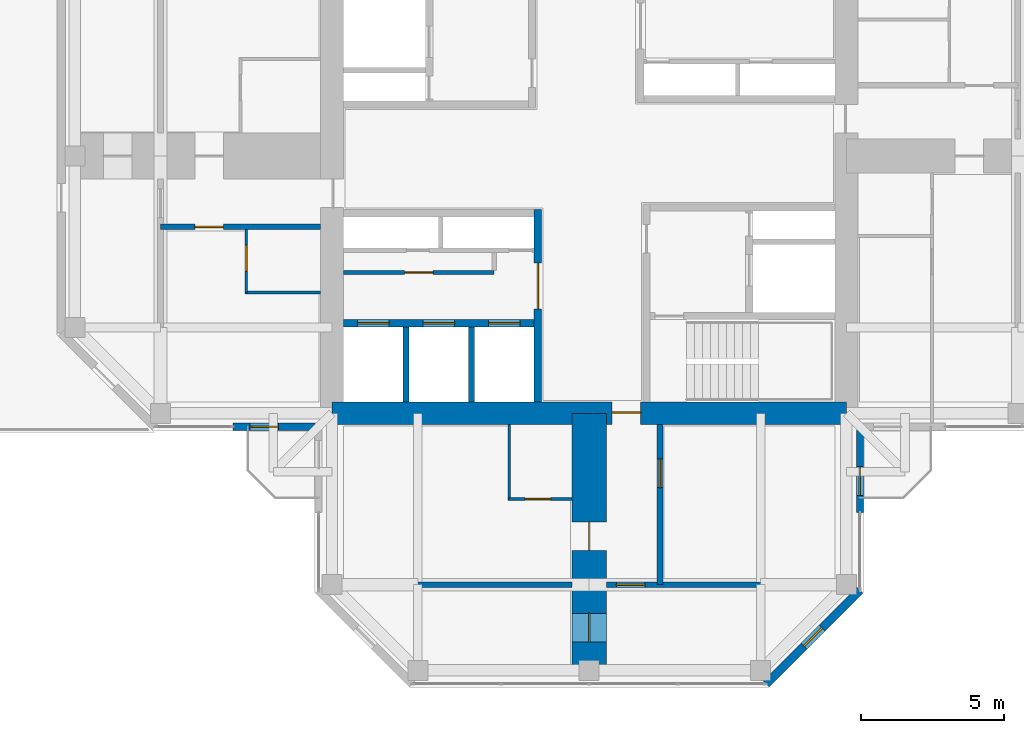
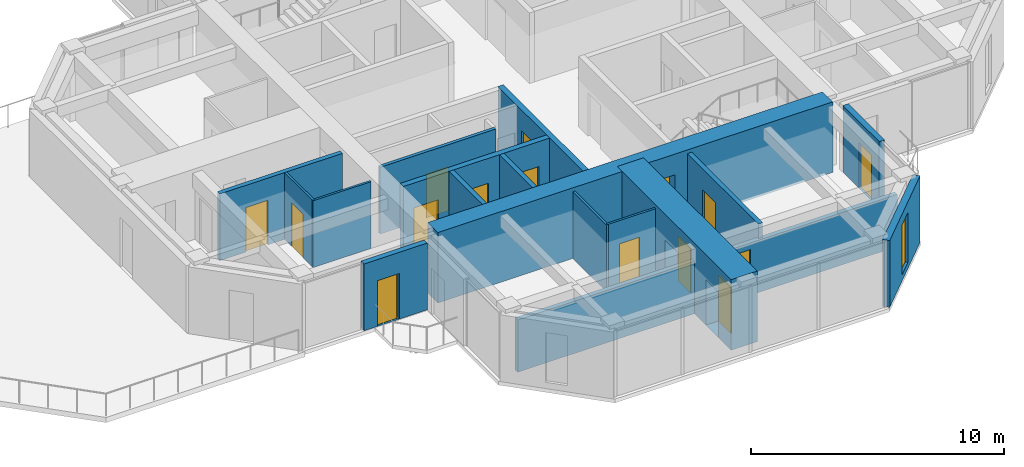
# One storey, part 8 of 14: 18 walls, 15 doors, 1 window, 16 openings.
"""IFC4 building model written with IfcOpenShell, lengths in metres."""

from ifc_helpers import new_model, si_unit, direction, frame, frame_2d, origin, place, context, subcontext, project, spatial, rectangle, hollow_rectangle, extrude, material, layer, layer_set, constituent, constituent_set, type_object, element, fill, save


model = new_model("IFC4")

# Units and contexts
model_context = context("Model", 3, precision=1e-05, world=origin(), true_north=direction((0.0, 1.0)))
body_context = subcontext(model_context, "Body", "Model", "MODEL_VIEW")
ifc_project = project(units=[si_unit("LENGTHUNIT", "METRE"), si_unit("AREAUNIT", "SQUARE_METRE"), si_unit("VOLUMEUNIT", "CUBIC_METRE"), si_unit("PLANEANGLEUNIT", "RADIAN"), si_unit("MASSUNIT", "GRAM", prefix="KILO")], contexts=[model_context])

# Site, building, storey
site_placement = place(None, origin())
site = spatial("IfcSite", under=ifc_project, at=site_placement, CompositionType="ELEMENT")
building_placement = place(site_placement, origin())
building = spatial("IfcBuilding", under=site, at=building_placement, Name="Torre Cruceta", CompositionType="ELEMENT")
storey_placement = place(building_placement, frame((0.0, 0.0, 257.699951171875)))
storey = spatial("IfcBuildingStorey", under=building, at=storey_placement, Name="L66", CompositionType="ELEMENT", Elevation=257.699951171875)

# Wall
ifc_material_1 = material(Name="Water-resistant plasterboard on steel studs", Category="steel")
ifc_layer_1 = layer(ifc_material_1, 0.10009765625)
ifc_layer_set_1 = layer_set([ifc_layer_1], Name="Water-resistant plasterboard on steel studs")
wall_type_1 = type_object("IfcWallType", Name="BATHROOM WALL 100", PredefinedType="PARTITIONING", material=ifc_layer_set_1)
wall_1_placement = place(storey_placement, frame((-2.800048828125, -9.39990234375, 0.0), z_axis=(0.0, 0.0, 1.0), x_axis=(0.0, -1.0, 0.0)))
element("IfcWall", 1, at=wall_1_placement, inside=storey, type_object=wall_type_1, Name="PT4 L66-S-U1RBB", PredefinedType="PARTITIONING", context=body_context, shape_type="SweptSolid", body=[
    extrude(rectangle(XDim=2.650146484375, YDim=0.10009765625, at=frame_2d((1.3251953125, 0.0))), origin(), (0.0, 0.0, 1.0), 3.219970703125),
])

# Wall, opening, door
wall_2_placement = place(storey_placement, frame((-2.800048828125, -12.0, 0.0), z_axis=(0.0, 0.0, 1.0), x_axis=(1.0, 0.0, 0.0)))
wall_2 = element("IfcWall", 2, at=wall_2_placement, inside=storey, type_object=wall_type_1, Name="PT4 L66-S-U1RBS", PredefinedType="PARTITIONING", context=body_context, shape_type="SweptSolid", body=[
    extrude(rectangle(XDim=2.199951171875, YDim=0.10009765625, at=frame_2d((1.10009765625, 0.0))), origin(), (0.0, 0.0, 1.0), 3.219970703125),
])
opening_1_placement = place(wall_2_placement, frame((0.550048828125, 0.0, 0.0)))
opening_1 = element("IfcOpeningElement", 3, at=opening_1_placement, cuts=wall_2, Name="Opening D7", PredefinedType="OPENING", context=body_context, shape_type="SweptSolid", body=[
    extrude(rectangle(XDim=0.89990234375, YDim=2.10009765625, at=frame_2d((0.449951171875, 1.050048828125))), frame((0.0, 0.06005859375, 0.0), z_axis=(0.0, -1.0, 0.0), x_axis=(1.0, 0.0, 0.0)), (0.0, 0.0, 1.0), 0.1201171875),
])
ifc_material_2 = material(Name="Timber door", Category="wood")
door_type_1 = type_object("IfcDoorType", Name="BATHROOM DOOR 900X2100", OperationType="SINGLE_SWING_LEFT", PredefinedType="DOOR", material=ifc_material_2)
door_1_placement = place(opening_1_placement, origin())
door_1 = element("IfcDoor", 4, at=door_1_placement, inside=storey, type_object=door_type_1, Name="D7 L66-S-U1RBS-D1", OperationType="SINGLE_SWING_LEFT", OverallHeight=2.10009765625, OverallWidth=0.89990234375, PredefinedType="DOOR", context=body_context, shape_type="SweptSolid", body=[
    extrude(rectangle(XDim=0.89990234375, YDim=2.10009765625, at=frame_2d((0.449951171875, 1.050048828125))), frame((0.0, 0.02490234375, 0.0), z_axis=(0.0, -1.0, 0.0), x_axis=(1.0, 0.0, 0.0)), (0.0, 0.0, 1.0), 0.050048828125),
])
fill(opening_1, door_1)

# Wall
wall_3_placement = place(storey_placement, frame((-9.39990234375, -4.77490234375, 0.0), z_axis=(0.0, 0.0, 1.0), x_axis=(-1.0, 0.0, 0.0)))
element("IfcWall", 5, at=wall_3_placement, inside=storey, type_object=wall_type_1, Name="PT4 L66-W-U1LBB", PredefinedType="PARTITIONING", context=body_context, shape_type="SweptSolid", body=[
    extrude(rectangle(XDim=2.650146484375, YDim=0.10009765625, at=frame_2d((1.3251953125, 0.0))), origin(), (0.0, 0.0, 1.0), 3.219970703125),
])

# Wall, opening, door
wall_4_placement = place(storey_placement, frame((-12.0, -2.574951171875, 0.0), z_axis=(0.0, 0.0, 1.0), x_axis=(0.0, -1.0, 0.0)))
wall_4 = element("IfcWall", 6, at=wall_4_placement, inside=storey, type_object=wall_type_1, Name="PT4 L66-W-U1LBS", PredefinedType="PARTITIONING", context=body_context, shape_type="SweptSolid", body=[
    extrude(rectangle(XDim=2.199951171875, YDim=0.10009765625, at=frame_2d((1.10009765625, 0.0))), origin(), (0.0, 0.0, 1.0), 3.219970703125),
])
opening_2_placement = place(wall_4_placement, frame((0.550048828125, 0.0, 0.0)))
opening_2 = element("IfcOpeningElement", 7, at=opening_2_placement, cuts=wall_4, Name="Opening D7", PredefinedType="OPENING", context=body_context, shape_type="SweptSolid", body=[
    extrude(rectangle(XDim=0.89990234375, YDim=2.10009765625, at=frame_2d((0.449951171875, 1.050048828125))), frame((0.0, 0.06005859375, 0.0), z_axis=(0.0, -1.0, 0.0), x_axis=(1.0, 0.0, 0.0)), (0.0, 0.0, 1.0), 0.1201171875),
])
door_2_placement = place(opening_2_placement, origin())
door_2 = element("IfcDoor", 8, at=door_2_placement, inside=storey, type_object=door_type_1, Name="D7 L66-W-U1LBS-D1", OperationType="SINGLE_SWING_LEFT", OverallHeight=2.10009765625, OverallWidth=0.89990234375, PredefinedType="DOOR", context=body_context, shape_type="SweptSolid", body=[
    extrude(rectangle(XDim=0.89990234375, YDim=2.10009765625, at=frame_2d((0.449951171875, 1.050048828125))), frame((0.0, 0.02490234375, 0.0), z_axis=(0.0, -1.0, 0.0), x_axis=(1.0, 0.0, 0.0)), (0.0, 0.0, 1.0), 0.050048828125),
])
fill(opening_2, door_2)

ifc_material_3 = material(Name="Concrete G60 (fck 60 MPa)", Category="concrete")
ifc_layer_2 = layer(ifc_material_3, 0.25)
ifc_layer_set_2 = layer_set([ifc_layer_2], Name="Concrete G60 (fck 60 MPa)")
wall_type_2 = type_object("IfcWallType", Name="CORE INNER WALL 250 G60", PredefinedType="SHEAR", material=ifc_layer_set_2)
wall_5_placement = place(storey_placement, frame((-1.800048828125, -1.875, 0.0), z_axis=(0.0, 0.0, 1.0), x_axis=(0.0, -1.0, 0.0)))
wall_5 = element("IfcWall", 9, at=wall_5_placement, inside=storey, type_object=wall_type_2, Name="CW4 L66 SW-CU", PredefinedType="SHEAR", context=body_context, shape_type="SweptSolid", body=[
    extrude(rectangle(XDim=6.72509765625, YDim=0.25, at=frame_2d((3.362548828125, 0.0))), origin(), (0.0, 0.0, 1.0), 3.400146484375),
])
opening_3_placement = place(wall_5_placement, frame((1.875, 0.0, 0.0)))
opening_3 = element("IfcOpeningElement", 10, at=opening_3_placement, cuts=wall_5, Name="Opening D8", PredefinedType="OPENING", context=body_context, shape_type="SweptSolid", body=[
    extrude(rectangle(XDim=1.60009765625, YDim=2.39990234375, at=frame_2d((0.800048828125, 1.199951171875))), frame((0.0, 0.135009765625, 0.0), z_axis=(0.0, -1.0, 0.0), x_axis=(1.0, 0.0, 0.0)), (0.0, 0.0, 1.0), 0.27001953125),
])
ifc_material_4 = material(Name="Steel DX51D", Category="steel")
ifc_constituent_1 = constituent(ifc_material_4, Name="Leaf and frame")
ifc_material_5 = material(Name="Polyester powder coating", Category="paint")
ifc_constituent_2 = constituent(ifc_material_5, Name="Finish")
ifc_material_6 = material(Name="Fire-resisting glass", Category="glass")
ifc_constituent_3 = constituent(ifc_material_6, Name="Vision panel")
ifc_constituent_set_1 = constituent_set(constituents=[ifc_constituent_1, ifc_constituent_2, ifc_constituent_3], Name="Steel fire door with vision panels")
door_type_2 = type_object("IfcDoorType", Name="LIFT LOBBY DOUBLE DOOR 1600X2400", OperationType="DOUBLE_DOOR_DOUBLE_SWING", PredefinedType="DOOR", material=ifc_constituent_set_1)
door_3_placement = place(opening_3_placement, origin())
door_3 = element("IfcDoor", 11, at=door_3_placement, inside=storey, type_object=door_type_2, Name="D8 L66 SW-LOBBY", OperationType="DOUBLE_DOOR_DOUBLE_SWING", OverallHeight=2.39990234375, OverallWidth=1.60009765625, PredefinedType="DOOR", context=body_context, shape_type="SweptSolid", body=[
    extrude(rectangle(XDim=1.60009765625, YDim=2.39990234375, at=frame_2d((0.800048828125, 1.199951171875))), frame((0.0, 0.02490234375, 0.0), z_axis=(0.0, -1.0, 0.0), x_axis=(1.0, 0.0, 0.0)), (0.0, 0.0, 1.0), 0.050048828125),
])
fill(opening_3, door_3)

# Wall, openings, doors
wall_6_placement = place(storey_placement, frame((-1.925048828125, -5.85009765625, 0.0), z_axis=(0.0, 0.0, 1.0), x_axis=(-1.0, 0.0, 0.0)))
wall_6 = element("IfcWall", 12, at=wall_6_placement, inside=storey, type_object=wall_type_2, Name="CW4 L66 SW-LV", PredefinedType="SHEAR", context=body_context, shape_type="SweptSolid", body=[
    extrude(rectangle(XDim=6.675048828125, YDim=0.25, at=frame_2d((3.33740234375, 0.0))), origin(), (0.0, 0.0, 1.0), 3.400146484375),
])
opening_4_placement = place(wall_6_placement, frame((0.495849609375, 0.0, 0.0)))
opening_4 = element("IfcOpeningElement", 13, at=opening_4_placement, cuts=wall_6, Name="Opening LD1", PredefinedType="OPENING", context=body_context, shape_type="SweptSolid", body=[
    extrude(rectangle(XDim=1.10009765625, YDim=2.199951171875, at=frame_2d((0.550048828125, 1.10009765625))), frame((0.0, 0.135009765625, 0.0), z_axis=(0.0, -1.0, 0.0), x_axis=(1.0, 0.0, 0.0)), (0.0, 0.0, 1.0), 0.27001953125),
])
opening_5_placement = place(wall_6_placement, frame((2.78759765625, 0.0, 0.0)))
opening_5 = element("IfcOpeningElement", 14, at=opening_5_placement, cuts=wall_6, Name="Opening LD1", PredefinedType="OPENING", context=body_context, shape_type="SweptSolid", body=[
    extrude(rectangle(XDim=1.10009765625, YDim=2.199951171875, at=frame_2d((0.550048828125, 1.10009765625))), frame((0.0, 0.135009765625, 0.0), z_axis=(0.0, -1.0, 0.0), x_axis=(1.0, 0.0, 0.0)), (0.0, 0.0, 1.0), 0.27001953125),
])
opening_6_placement = place(wall_6_placement, frame((5.0791015625, 0.0, 0.0)))
opening_6 = element("IfcOpeningElement", 15, at=opening_6_placement, cuts=wall_6, Name="Opening LD1", PredefinedType="OPENING", context=body_context, shape_type="SweptSolid", body=[
    extrude(rectangle(XDim=1.10009765625, YDim=2.199951171875, at=frame_2d((0.550048828125, 1.10009765625))), frame((0.0, 0.135009765625, 0.0), z_axis=(0.0, -1.0, 0.0), x_axis=(1.0, 0.0, 0.0)), (0.0, 0.0, 1.0), 0.27001953125),
])
ifc_material_7 = material(Name="Stainless steel 1.4401", Category="steel")
door_type_3 = type_object("IfcDoorType", Name="LIFT LANDING DOOR 1100X2200", OperationType="DOUBLE_DOOR_SLIDING", PredefinedType="DOOR", material=ifc_material_7)
door_4_placement = place(opening_4_placement, origin())
door_4 = element("IfcDoor", 16, at=door_4_placement, inside=storey, type_object=door_type_3, Name="Lift landing door R1", OperationType="DOUBLE_DOOR_SLIDING", OverallHeight=2.199951171875, OverallWidth=1.10009765625, PredefinedType="DOOR", context=body_context, shape_type="SweptSolid", body=[
    extrude(rectangle(XDim=1.10009765625, YDim=2.199951171875, at=frame_2d((0.550048828125, 1.10009765625))), frame((0.0, 0.02490234375, 0.0), z_axis=(0.0, -1.0, 0.0), x_axis=(1.0, 0.0, 0.0)), (0.0, 0.0, 1.0), 0.050048828125),
])
fill(opening_4, door_4)
door_5_placement = place(opening_5_placement, origin())
door_5 = element("IfcDoor", 17, at=door_5_placement, inside=storey, type_object=door_type_3, Name="Lift landing door R2", OperationType="DOUBLE_DOOR_SLIDING", OverallHeight=2.199951171875, OverallWidth=1.10009765625, PredefinedType="DOOR", context=body_context, shape_type="SweptSolid", body=[
    extrude(rectangle(XDim=1.10009765625, YDim=2.199951171875, at=frame_2d((0.550048828125, 1.10009765625))), frame((0.0, 0.02490234375, 0.0), z_axis=(0.0, -1.0, 0.0), x_axis=(1.0, 0.0, 0.0)), (0.0, 0.0, 1.0), 0.050048828125),
])
fill(opening_5, door_5)
door_6_placement = place(opening_6_placement, origin())
door_6 = element("IfcDoor", 18, at=door_6_placement, inside=storey, type_object=door_type_3, Name="Lift landing door R3", OperationType="DOUBLE_DOOR_SLIDING", OverallHeight=2.199951171875, OverallWidth=1.10009765625, PredefinedType="DOOR", context=body_context, shape_type="SweptSolid", body=[
    extrude(rectangle(XDim=1.10009765625, YDim=2.199951171875, at=frame_2d((0.550048828125, 1.10009765625))), frame((0.0, 0.02490234375, 0.0), z_axis=(0.0, -1.0, 0.0), x_axis=(1.0, 0.0, 0.0)), (0.0, 0.0, 1.0), 0.050048828125),
])
fill(opening_6, door_6)

# Wall, opening, door
ifc_material_8 = material(Name="Concrete G60 (fck 60 MPa)", Category="concrete")
ifc_layer_3 = layer(ifc_material_8, 0.800048828125)
ifc_layer_set_3 = layer_set([ifc_layer_3], Name="Concrete G60 (fck 60 MPa)")
wall_type_3 = type_object("IfcWallType", Name="CORE WALL 800 G60", PredefinedType="SHEAR", material=ifc_layer_set_3)
wall_7_placement = place(storey_placement, frame((-9.0, -9.0, 0.0), z_axis=(0.0, 0.0, 1.0), x_axis=(1.0, 0.0, 0.0)))
wall_7 = element("IfcWall", 19, at=wall_7_placement, inside=storey, type_object=wall_type_3, Name="CW3 L66 CW-S", PredefinedType="SHEAR", context=body_context, shape_type="SweptSolid", body=[
    extrude(rectangle(XDim=18.0, YDim=0.800048828125, at=frame_2d((9.0, 0.0))), origin(), (0.0, 0.0, 1.0), 3.400146484375),
])
opening_7_placement = place(wall_7_placement, frame((9.800048828125, 0.0, 0.0)))
opening_7 = element("IfcOpeningElement", 20, at=opening_7_placement, cuts=wall_7, Name="Opening D4", PredefinedType="OPENING", context=body_context, shape_type="SweptSolid", body=[
    extrude(rectangle(XDim=1.0, YDim=2.39990234375, at=frame_2d((0.5, 1.199951171875))), frame((0.0, 0.409912109375, 0.0), z_axis=(0.0, -1.0, 0.0), x_axis=(1.0, 0.0, 0.0)), (0.0, 0.0, 1.0), 0.820068359375),
])
ifc_material_9 = material(Name="Steel DX51D", Category="steel")
ifc_constituent_4 = constituent(ifc_material_9, Name="Leaf and frame")
ifc_material_10 = material(Name="Polyester powder coating", Category="paint")
ifc_constituent_5 = constituent(ifc_material_10, Name="Finish")
ifc_constituent_set_2 = constituent_set(constituents=[ifc_constituent_4, ifc_constituent_5], Name="Steel fire door")
door_type_4 = type_object("IfcDoorType", Name="CORE ARM DOOR 1000X2400", OperationType="SINGLE_SWING_RIGHT", PredefinedType="DOOR", material=ifc_constituent_set_2)
door_7_placement = place(opening_7_placement, origin())
door_7 = element("IfcDoor", 21, at=door_7_placement, inside=storey, type_object=door_type_4, Name="D4 L66 CW-S", OperationType="SINGLE_SWING_RIGHT", OverallHeight=2.39990234375, OverallWidth=1.0, PredefinedType="DOOR", context=body_context, shape_type="SweptSolid", body=[
    extrude(rectangle(XDim=1.0, YDim=2.39990234375, at=frame_2d((0.5, 1.199951171875))), frame((0.0, 0.05517578125, 0.0), z_axis=(0.0, -1.0, 0.0), x_axis=(1.0, 0.0, 0.0)), (0.0, 0.0, 1.0), 0.050048828125),
])
fill(opening_7, door_7)

ifc_material_11 = material(Name="Concrete G25 (fck 25 MPa)", Category="concrete")
ifc_layer_4 = layer(ifc_material_11, 0.199951171875)
ifc_layer_set_4 = layer_set([ifc_layer_4], Name="Concrete G25 (fck 25 MPa)")
wall_type_4 = type_object("IfcWallType", Name="CORRIDOR WALL 200", PredefinedType="SOLIDWALL", material=ifc_layer_set_4)
wall_8_placement = place(storey_placement, frame((2.47509765625, -9.39990234375, 0.0), z_axis=(0.0, 0.0, 1.0), x_axis=(0.0, -1.0, 0.0)))
wall_8 = element("IfcWall", 22, at=wall_8_placement, inside=storey, type_object=wall_type_4, Name="PT3 L66-S-CL", PredefinedType="SOLIDWALL", context=body_context, shape_type="SweptSolid", body=[
    extrude(rectangle(XDim=5.60009765625, YDim=0.199951171875, at=frame_2d((2.800048828125, 0.0))), origin(), (0.0, 0.0, 1.0), 3.219970703125),
])
opening_8_placement = place(wall_8_placement, frame((1.199951171875, 0.0, 0.0)))
opening_8 = element("IfcOpeningElement", 23, at=opening_8_placement, cuts=wall_8, Name="Opening D14", PredefinedType="OPENING", context=body_context, shape_type="SweptSolid", body=[
    extrude(rectangle(XDim=1.0, YDim=2.199951171875, at=frame_2d((0.5, 1.10009765625))), frame((0.0, 0.10986328125, 0.0), z_axis=(0.0, -1.0, 0.0), x_axis=(1.0, 0.0, 0.0)), (0.0, 0.0, 1.0), 0.219970703125),
])
ifc_material_12 = material(Name="Steel DX51D", Category="steel")
ifc_constituent_6 = constituent(ifc_material_12, Name="Leaf and frame")
ifc_material_13 = material(Name="Polyester powder coating", Category="paint")
ifc_constituent_7 = constituent(ifc_material_13, Name="Finish")
ifc_material_14 = material(Name="Fire-resisting glass", Category="glass")
ifc_constituent_8 = constituent(ifc_material_14, Name="Vision panel")
ifc_constituent_set_3 = constituent_set(constituents=[ifc_constituent_6, ifc_constituent_7, ifc_constituent_8], Name="Steel fire door with vision panel")
door_type_5 = type_object("IfcDoorType", Name="FIRE DOOR VISION PANEL 1000X2200", OperationType="SINGLE_SWING_RIGHT", PredefinedType="DOOR", material=ifc_constituent_set_3)
door_8_placement = place(opening_8_placement, origin())
door_8 = element("IfcDoor", 24, at=door_8_placement, inside=storey, type_object=door_type_5, Name="D14 L66-S-CL-D1", OperationType="SINGLE_SWING_LEFT", OverallHeight=2.199951171875, OverallWidth=1.0, PredefinedType="DOOR", context=body_context, shape_type="SweptSolid", body=[
    extrude(rectangle(XDim=1.0, YDim=2.199951171875, at=frame_2d((0.5, 1.10009765625))), frame((0.0, 0.02490234375, 0.0), z_axis=(0.0, -1.0, 0.0), x_axis=(1.0, 0.0, 0.0)), (0.0, 0.0, 1.0), 0.050048828125),
])
fill(opening_8, door_8)

wall_9_placement = place(storey_placement, frame((-9.39990234375, -2.47509765625, 0.0), z_axis=(0.0, 0.0, 1.0), x_axis=(-1.0, 0.0, 0.0)))
wall_9 = element("IfcWall", 25, at=wall_9_placement, inside=storey, type_object=wall_type_4, Name="PT3 L66-W-CL", PredefinedType="SOLIDWALL", context=body_context, shape_type="SweptSolid", body=[
    extrude(rectangle(XDim=5.60009765625, YDim=0.199951171875, at=frame_2d((2.800048828125, 0.0))), origin(), (0.0, 0.0, 1.0), 3.219970703125),
])
opening_9_placement = place(wall_9_placement, frame((3.39990234375, 0.0, 0.0)))
opening_9 = element("IfcOpeningElement", 26, at=opening_9_placement, cuts=wall_9, Name="Opening D6", PredefinedType="OPENING", context=body_context, shape_type="SweptSolid", body=[
    extrude(rectangle(XDim=1.0, YDim=2.14990234375, at=frame_2d((0.5, 1.074951171875))), frame((0.0, 0.10986328125, 0.0), z_axis=(0.0, -1.0, 0.0), x_axis=(1.0, 0.0, 0.0)), (0.0, 0.0, 1.0), 0.219970703125),
])
ifc_material_15 = material(Name="Timber fire door", Category="wood")
door_type_6 = type_object("IfcDoorType", Name="UNIT ENTRANCE DOOR 1000X2150", OperationType="SINGLE_SWING_LEFT", PredefinedType="DOOR", material=ifc_material_15)
door_9_placement = place(opening_9_placement, origin())
door_9 = element("IfcDoor", 27, at=door_9_placement, inside=storey, type_object=door_type_6, Name="D6 L66-W-CL-D1", OperationType="SINGLE_SWING_LEFT", OverallHeight=2.14990234375, OverallWidth=1.0, PredefinedType="DOOR", context=body_context, shape_type="SweptSolid", body=[
    extrude(rectangle(XDim=1.0, YDim=2.14990234375, at=frame_2d((0.5, 1.074951171875))), frame((0.0, 0.02490234375, 0.0), z_axis=(0.0, -1.0, 0.0), x_axis=(1.0, 0.0, 0.0)), (0.0, 0.0, 1.0), 0.050048828125),
])
fill(opening_9, door_9)

# Wall, opening, window
ifc_material_16 = material(Name="Concrete G30 (fck 30 MPa)", Category="concrete")
ifc_layer_5 = layer(ifc_material_16, 0.300048828125)
ifc_layer_set_5 = layer_set([ifc_layer_5], Name="Concrete G30 (fck 30 MPa)")
wall_type_5 = type_object("IfcWallType", Name="EXPOSED CONCRETE FACADE WALL 300", PredefinedType="SOLIDWALL", material=ifc_layer_set_5)
wall_10_placement = place(storey_placement, frame((6.194580078125, -18.469970703125, 0.0), z_axis=(0.0, 0.0, 1.0), x_axis=(0.707106781187, 0.707106781187, 0.0)))
wall_10 = element("IfcWall", 28, at=wall_10_placement, inside=storey, type_object=wall_type_5, Name="EW1 facade wall L66 S chamfer 18", PredefinedType="SOLIDWALL", context=body_context, shape_type="SweptSolid", body=[
    extrude(rectangle(XDim=4.632080078125, YDim=0.300048828125, at=frame_2d((2.31591796875, 0.0))), origin(), (0.0, 0.0, 1.0), 3.219970703125),
])
opening_10_placement = place(wall_10_placement, frame((1.865966796875, 0.0, 0.300048828125)))
opening_10 = element("IfcOpeningElement", 29, at=opening_10_placement, cuts=wall_10, Name="Opening WN5", PredefinedType="OPENING", context=body_context, shape_type="SweptSolid", body=[
    extrude(rectangle(XDim=0.89990234375, YDim=2.39990234375, at=frame_2d((0.449951171875, 1.199951171875))), frame((0.0, 0.159912109375, 0.0), z_axis=(0.0, -1.0, 0.0), x_axis=(1.0, 0.0, 0.0)), (0.0, 0.0, 1.0), 0.320068359375),
])
ifc_material_17 = material(Name="Aluminium window frame", Category="aluminium")
ifc_constituent_9 = constituent(ifc_material_17, Name="Frame")
ifc_material_18 = material(Name="Laminated insulating glass unit, low-iron clear", Category="glass")
ifc_constituent_10 = constituent(ifc_material_18, Name="Glazing")
ifc_constituent_set_4 = constituent_set(constituents=[ifc_constituent_9, ifc_constituent_10], Name="Aluminium window")
window_type = type_object("IfcWindowType", Name="CHAMFER SLOT WINDOW 900X2400", PartitioningType="SINGLE_PANEL", PredefinedType="WINDOW", material=ifc_constituent_set_4)
window_placement = place(opening_10_placement, origin())
window = element("IfcWindow", 30, at=window_placement, inside=storey, type_object=window_type, Name="WN5 L66 S 1", OverallHeight=2.39990234375, OverallWidth=0.89990234375, PartitioningType="SINGLE_PANEL", PredefinedType="WINDOW", context=body_context, shape_type="SweptSolid", body=[
    extrude(hollow_rectangle(XDim=0.89990234375, YDim=2.39990234375, WallThickness=0.06005859375, at=frame_2d((0.449951171875, 1.199951171875))), frame((0.0, 0.030029296875, 0.0), z_axis=(0.0, -1.0, 0.0), x_axis=(1.0, 0.0, 0.0)), (0.0, 0.0, 1.0), 0.06005859375),
    extrude(rectangle(XDim=0.77880859375, YDim=2.27880859375, at=frame_2d((0.449951171875, 1.199951171875))), frame((0.0, 0.030029296875, 0.0), z_axis=(0.0, -1.0, 0.0), x_axis=(1.0, 0.0, 0.0)), (0.0, 0.0, 1.0), 0.06005859375),
])
fill(opening_10, window)

# Walls
ifc_material_19 = material(Name="Concrete G35 (fck 35 MPa)", Category="concrete")
ifc_layer_6 = layer(ifc_material_19, 0.199951171875)
ifc_layer_set_6 = layer_set([ifc_layer_6], Name="Concrete G35 (fck 35 MPa)")
wall_type_6 = type_object("IfcWallType", Name="LIFT SHAFT WALL 200", PredefinedType="PARTITIONING", material=ifc_layer_set_6)
for number, where, z_axis, x_axis, name in (
    (31, (-4.11669921875, -5.97509765625, 0.0), (0.0, 0.0, 1.0), (0.0, -1.0, 0.0), "SW1 L66 SW-LS1"),
    (32, (-6.408447265625, -5.97509765625, 0.0), (0.0, 0.0, 1.0), (0.0, -1.0, 0.0), "SW1 L66 SW-LS2"),
):
    element("IfcWall", number, at=place(storey_placement, frame(where, z_axis=z_axis, x_axis=x_axis)), inside=storey, type_object=wall_type_6, Name=name, PredefinedType="PARTITIONING", context=body_context, shape_type="SweptSolid", body=[
        extrude(rectangle(XDim=2.625, YDim=0.199951171875, at=frame_2d((1.3125, 0.0))), origin(), (0.0, 0.0, 1.0), 3.400146484375),
    ])

# Wall, opening, door
ifc_material_20 = material(Name="Plasterboard on steel studs", Category="steel")
ifc_layer_7 = layer(ifc_material_20, 0.14990234375)
ifc_layer_set_7 = layer_set([ifc_layer_7], Name="Plasterboard on steel studs")
wall_type_7 = type_object("IfcWallType", Name="PARTITION 150", PredefinedType="PARTITIONING", material=ifc_layer_set_7)
wall_11_placement = place(storey_placement, frame((-3.324951171875, -4.074951171875, 0.0), z_axis=(0.0, 0.0, 1.0), x_axis=(-1.0, 0.0, 0.0)))
wall_11 = element("IfcWall", 33, at=wall_11_placement, inside=storey, type_object=wall_type_7, Name="PT1 L66-CORE-SW-CUPBOARD", PredefinedType="PARTITIONING", context=body_context, shape_type="SweptSolid", body=[
    extrude(rectangle(XDim=5.275146484375, YDim=0.14990234375, at=frame_2d((2.6376953125, 0.0))), origin(), (0.0, 0.0, 1.0), 3.219970703125),
])
opening_11_placement = place(wall_11_placement, frame((2.137451171875, 0.0, 0.0)))
opening_11 = element("IfcOpeningElement", 34, at=opening_11_placement, cuts=wall_11, Name="Opening D19", PredefinedType="OPENING", context=body_context, shape_type="SweptSolid", body=[
    extrude(rectangle(XDim=1.0, YDim=2.10009765625, at=frame_2d((0.5, 1.050048828125))), frame((0.0, 0.0849609375, 0.0), z_axis=(0.0, -1.0, 0.0), x_axis=(1.0, 0.0, 0.0)), (0.0, 0.0, 1.0), 0.169921875),
])
ifc_material_21 = material(Name="Timber fire door", Category="wood")
door_type_7 = type_object("IfcDoorType", Name="CUPBOARD PAIR OF DOORS 1000X2100", OperationType="DOUBLE_DOOR_SINGLE_SWING", PredefinedType="DOOR", material=ifc_material_21)
door_10_placement = place(opening_11_placement, frame((1.0, 0.0, 0.0), z_axis=(0.0, 0.0, 1.0), x_axis=(-1.0, 0.0, 0.0)))
door_10 = element("IfcDoor", 35, at=door_10_placement, inside=storey, type_object=door_type_7, Name="D19 L66-CORE-SW-CUPBOARD-D1", OperationType="DOUBLE_DOOR_SINGLE_SWING", OverallHeight=2.10009765625, OverallWidth=1.0, PredefinedType="DOOR", context=body_context, shape_type="SweptSolid", body=[
    extrude(rectangle(XDim=1.0, YDim=2.10009765625, at=frame_2d((0.5, 1.050048828125))), frame((0.0, 0.025146484375, 0.0), z_axis=(0.0, -1.0, 0.0), x_axis=(1.0, 0.0, 0.0)), (0.0, 0.0, 1.0), 0.050048828125),
])
fill(opening_11, door_10)

# Wall, openings, doors
ifc_material_22 = material(Name="Concrete G60 (fck 60 MPa)", Category="concrete")
ifc_layer_8 = layer(ifc_material_22, 1.199951171875)
ifc_layer_set_8 = layer_set([ifc_layer_8], Name="Concrete G60 (fck 60 MPa)")
wall_type_8 = type_object("IfcWallType", Name="SPINE WALL 1200 G60", PredefinedType="SHEAR", material=ifc_layer_set_8)
wall_12_placement = place(storey_placement, frame((0.0, -9.0, 0.0), z_axis=(0.0, 0.0, 1.0), x_axis=(0.0, -1.0, 0.0)))
wall_12 = element("IfcWall", 36, at=wall_12_placement, inside=storey, type_object=wall_type_8, Name="SW3 spine wall L66 S", PredefinedType="SHEAR", context=body_context, shape_type="SweptSolid", body=[
    extrude(rectangle(XDim=9.0, YDim=1.199951171875, at=frame_2d((4.5, 0.0))), origin(), (0.0, 0.0, 1.0), 3.400146484375),
])
opening_12_placement = place(wall_12_placement, frame((3.800048828125, 0.0, 0.0)))
opening_12 = element("IfcOpeningElement", 37, at=opening_12_placement, cuts=wall_12, Name="Opening D6", PredefinedType="OPENING", context=body_context, shape_type="SweptSolid", body=[
    extrude(rectangle(XDim=1.0, YDim=2.14990234375, at=frame_2d((0.5, 1.074951171875))), frame((0.0, 0.60986328125, 0.0), z_axis=(0.0, -1.0, 0.0), x_axis=(1.0, 0.0, 0.0)), (0.0, 0.0, 1.0), 1.219970703125),
])
opening_13_placement = place(wall_12_placement, frame((7.0, 0.0, 0.0)))
opening_13 = element("IfcOpeningElement", 38, at=opening_13_placement, cuts=wall_12, Name="Opening D14", PredefinedType="OPENING", context=body_context, shape_type="SweptSolid", body=[
    extrude(rectangle(XDim=1.0, YDim=2.199951171875, at=frame_2d((0.5, 1.10009765625))), frame((0.0, 0.60986328125, 0.0), z_axis=(0.0, -1.0, 0.0), x_axis=(1.0, 0.0, 0.0)), (0.0, 0.0, 1.0), 1.219970703125),
])
door_11_placement = place(opening_13_placement, origin())
door_11 = element("IfcDoor", 39, at=door_11_placement, inside=storey, type_object=door_type_5, Name="D14 L66-S-SP2", OperationType="SINGLE_SWING_LEFT", OverallHeight=2.199951171875, OverallWidth=1.0, PredefinedType="DOOR", context=body_context, shape_type="SweptSolid", body=[
    extrude(rectangle(XDim=1.0, YDim=2.199951171875, at=frame_2d((0.5, 1.10009765625))), frame((0.0, 0.02490234375, 0.0), z_axis=(0.0, -1.0, 0.0), x_axis=(1.0, 0.0, 0.0)), (0.0, 0.0, 1.0), 0.050048828125),
])
fill(opening_13, door_11)
door_12_placement = place(opening_12_placement, frame((1.0, 0.0, 0.0), z_axis=(0.0, 0.0, 1.0), x_axis=(-1.0, 0.0, 0.0)))
door_12 = element("IfcDoor", 40, at=door_12_placement, inside=storey, type_object=door_type_6, Name="D6 L66-S-SP1", OperationType="SINGLE_SWING_RIGHT", OverallHeight=2.14990234375, OverallWidth=1.0, PredefinedType="DOOR", context=body_context, shape_type="SweptSolid", body=[
    extrude(rectangle(XDim=1.0, YDim=2.14990234375, at=frame_2d((0.5, 1.074951171875))), frame((0.0, 0.025146484375, 0.0), z_axis=(0.0, -1.0, 0.0), x_axis=(1.0, 0.0, 0.0)), (0.0, 0.0, 1.0), 0.050048828125),
])
fill(opening_12, door_12)

# Wall
ifc_material_23 = material(Name="Concrete G25 (fck 25 MPa)", Category="concrete")
ifc_layer_9 = layer(ifc_material_23, 0.199951171875)
ifc_layer_set_9 = layer_set([ifc_layer_9], Name="Concrete G25 (fck 25 MPa)")
wall_type_9 = type_object("IfcWallType", Name="UNIT SEPARATING WALL 200", PredefinedType="SOLIDWALL", material=ifc_layer_set_9)
wall_13_placement = place(storey_placement, frame((-8.64990234375, -15.0, 0.0), z_axis=(0.0, 0.0, 1.0), x_axis=(1.0, 0.0, 0.0)))
element("IfcWall", 41, at=wall_13_placement, inside=storey, type_object=wall_type_9, Name="PT2 L66-S-ENDa", PredefinedType="SOLIDWALL", context=body_context, shape_type="SweptSolid", body=[
    extrude(rectangle(XDim=8.0498046875, YDim=0.199951171875, at=frame_2d((4.02490234375, 0.0))), origin(), (0.0, 0.0, 1.0), 2.52001953125),
])

# Wall, opening, door
wall_14_placement = place(storey_placement, frame((0.60009765625, -15.0, 0.0), z_axis=(0.0, 0.0, 1.0), x_axis=(1.0, 0.0, 0.0)))
wall_14 = element("IfcWall", 42, at=wall_14_placement, inside=storey, type_object=wall_type_9, Name="PT2 L66-S-ENDb", PredefinedType="SOLIDWALL", context=body_context, shape_type="SweptSolid", body=[
    extrude(rectangle(XDim=8.0498046875, YDim=0.199951171875, at=frame_2d((4.02490234375, 0.0))), origin(), (0.0, 0.0, 1.0), 2.52001953125),
])
opening_14_placement = place(wall_14_placement, frame((0.35009765625, 0.0, 0.0)))
opening_14 = element("IfcOpeningElement", 43, at=opening_14_placement, cuts=wall_14, Name="Opening D14", PredefinedType="OPENING", context=body_context, shape_type="SweptSolid", body=[
    extrude(rectangle(XDim=1.0, YDim=2.199951171875, at=frame_2d((0.5, 1.10009765625))), frame((0.0, 0.10986328125, 0.0), z_axis=(0.0, -1.0, 0.0), x_axis=(1.0, 0.0, 0.0)), (0.0, 0.0, 1.0), 0.219970703125),
])
door_13_placement = place(opening_14_placement, frame((1.0, 0.0, 0.0), z_axis=(0.0, 0.0, 1.0), x_axis=(-1.0, 0.0, 0.0)))
door_13 = element("IfcDoor", 44, at=door_13_placement, inside=storey, type_object=door_type_5, Name="D14 L66-S-ENDb-D1", OperationType="SINGLE_SWING_LEFT", OverallHeight=2.199951171875, OverallWidth=1.0, PredefinedType="DOOR", context=body_context, shape_type="SweptSolid", body=[
    extrude(rectangle(XDim=1.0, YDim=2.199951171875, at=frame_2d((0.5, 1.10009765625))), frame((0.0, 0.025146484375, 0.0), z_axis=(0.0, -1.0, 0.0), x_axis=(1.0, 0.0, 0.0)), (0.0, 0.0, 1.0), 0.050048828125),
])
fill(opening_14, door_13)

ifc_material_24 = material(Name="Concrete G30 (fck 30 MPa)", Category="concrete")
ifc_layer_10 = layer(ifc_material_24, 0.25)
ifc_layer_set_10 = layer_set([ifc_layer_10], Name="Concrete G30 (fck 30 MPa)")
wall_type_10 = type_object("IfcWallType", Name="WINTER GARDEN WALL 250", PredefinedType="SOLIDWALL", material=ifc_layer_set_10)
wall_15_placement = place(storey_placement, frame((-12.469970703125, -9.469970703125, 0.0), z_axis=(0.0, 0.0, 1.0), x_axis=(1.0, 0.0, 0.0)))
wall_15 = element("IfcWall", 45, at=wall_15_placement, inside=storey, type_object=wall_type_10, Name="EW2 winter garden wall L66 14", PredefinedType="SOLIDWALL", context=body_context, shape_type="SweptSolid", body=[
    extrude(rectangle(XDim=2.875, YDim=0.25, at=frame_2d((1.4375, 0.0))), origin(), (0.0, 0.0, 1.0), 3.219970703125),
])
opening_15_placement = place(wall_15_placement, frame((0.60009765625, 0.0, 0.0)))
opening_15 = element("IfcOpeningElement", 46, at=opening_15_placement, cuts=wall_15, Name="Opening D10", PredefinedType="OPENING", context=body_context, shape_type="SweptSolid", body=[
    extrude(rectangle(XDim=1.0, YDim=2.199951171875, at=frame_2d((0.5, 1.10009765625))), frame((0.0, 0.135009765625, 0.0), z_axis=(0.0, -1.0, 0.0), x_axis=(1.0, 0.0, 0.0)), (0.0, 0.0, 1.0), 0.27001953125),
])
ifc_material_25 = material(Name="Aluminium door frame", Category="aluminium")
ifc_constituent_11 = constituent(ifc_material_25, Name="Frame")
ifc_material_26 = material(Name="Laminated safety glass", Category="glass")
ifc_constituent_12 = constituent(ifc_material_26, Name="Glazing")
ifc_constituent_set_5 = constituent_set(constituents=[ifc_constituent_11, ifc_constituent_12], Name="Aluminium glazed door")
door_type_8 = type_object("IfcDoorType", Name="BALCONY DOOR 1000X2200", OperationType="SINGLE_SWING_RIGHT", PredefinedType="DOOR", material=ifc_constituent_set_5)
door_14_placement = place(opening_15_placement, origin())
door_14 = element("IfcDoor", 47, at=door_14_placement, inside=storey, type_object=door_type_8, Name="D10 balcony door L66 14", OperationType="SINGLE_SWING_RIGHT", OverallHeight=2.199951171875, OverallWidth=1.0, PredefinedType="DOOR", context=body_context, shape_type="SweptSolid", body=[
    extrude(hollow_rectangle(XDim=1.0, YDim=2.199951171875, WallThickness=0.06005859375, at=frame_2d((0.5, 1.10009765625))), frame((0.0, 0.02490234375, 0.0), z_axis=(0.0, -1.0, 0.0), x_axis=(1.0, 0.0, 0.0)), (0.0, 0.0, 1.0), 0.050048828125),
    extrude(rectangle(XDim=0.87890625, YDim=2.078857421875, at=frame_2d((0.5, 1.10009765625))), frame((0.0, 0.02490234375, 0.0), z_axis=(0.0, -1.0, 0.0), x_axis=(1.0, 0.0, 0.0)), (0.0, 0.0, 1.0), 0.050048828125),
])
fill(opening_15, door_14)

wall_16_placement = place(storey_placement, frame((9.469970703125, -12.469970703125, 0.0), z_axis=(0.0, 0.0, 1.0), x_axis=(0.0, 1.0, 0.0)))
wall_16 = element("IfcWall", 48, at=wall_16_placement, inside=storey, type_object=wall_type_10, Name="EW2 winter garden wall L66 19", PredefinedType="SOLIDWALL", context=body_context, shape_type="SweptSolid", body=[
    extrude(rectangle(XDim=2.875, YDim=0.25, at=frame_2d((1.4375, 0.0))), origin(), (0.0, 0.0, 1.0), 3.219970703125),
])
opening_16_placement = place(wall_16_placement, frame((0.60009765625, 0.0, 0.0)))
opening_16 = element("IfcOpeningElement", 49, at=opening_16_placement, cuts=wall_16, Name="Opening D10", PredefinedType="OPENING", context=body_context, shape_type="SweptSolid", body=[
    extrude(rectangle(XDim=1.0, YDim=2.199951171875, at=frame_2d((0.5, 1.10009765625))), frame((0.0, 0.135009765625, 0.0), z_axis=(0.0, -1.0, 0.0), x_axis=(1.0, 0.0, 0.0)), (0.0, 0.0, 1.0), 0.27001953125),
])
door_15_placement = place(opening_16_placement, origin())
door_15 = element("IfcDoor", 50, at=door_15_placement, inside=storey, type_object=door_type_8, Name="D10 balcony door L66 19", OperationType="SINGLE_SWING_RIGHT", OverallHeight=2.199951171875, OverallWidth=1.0, PredefinedType="DOOR", context=body_context, shape_type="SweptSolid", body=[
    extrude(hollow_rectangle(XDim=1.0, YDim=2.199951171875, WallThickness=0.06005859375, at=frame_2d((0.5, 1.10009765625))), frame((0.0, 0.02490234375, 0.0), z_axis=(0.0, -1.0, 0.0), x_axis=(1.0, 0.0, 0.0)), (0.0, 0.0, 1.0), 0.050048828125),
    extrude(rectangle(XDim=0.87890625, YDim=2.078857421875, at=frame_2d((0.5, 1.10009765625))), frame((0.0, 0.02490234375, 0.0), z_axis=(0.0, -1.0, 0.0), x_axis=(1.0, 0.0, 0.0)), (0.0, 0.0, 1.0), 0.050048828125),
])
fill(opening_16, door_15)

save(model, "model.ifc")
